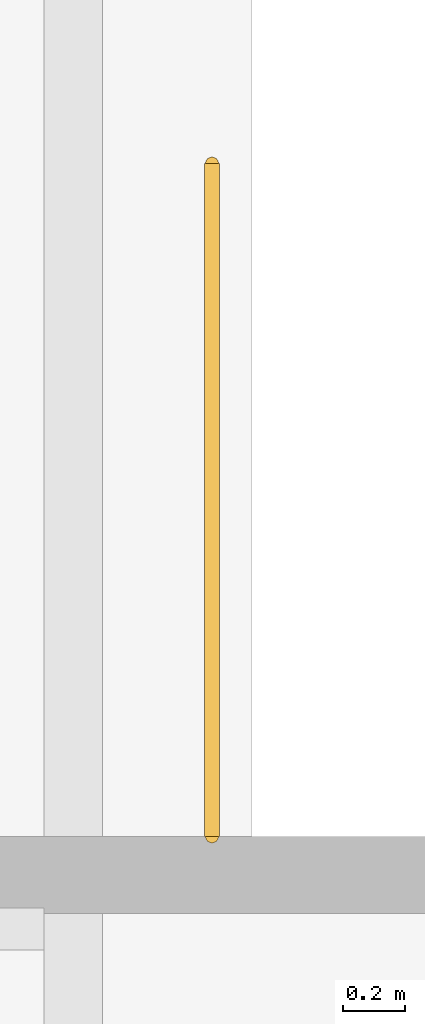
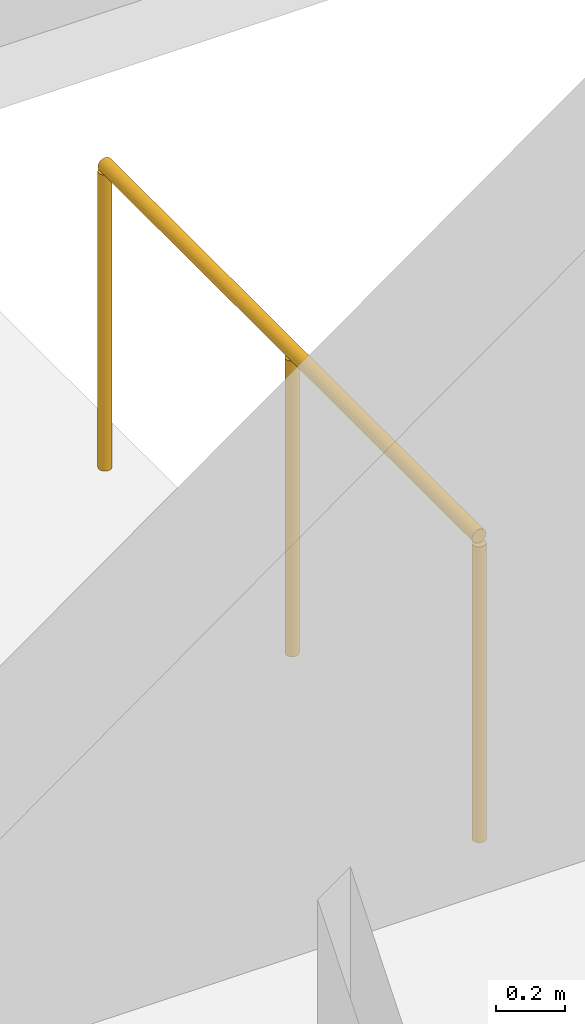
# One storey, part 67 of 67: 1 railing.
"""IFC4 building model written with IfcOpenShell, lengths in metres."""

from ifc_helpers import new_model, si_unit, derived_unit, direction, frame, origin, origin_2d, place, context, subcontext, project, spatial, circle, extrude, material, type_object, element, save


model = new_model("IFC4")

# Units and contexts
model_context = context("Model", 3, precision=1e-05, world=origin(), true_north=direction((0.0, 1.0)))
body_context = subcontext(model_context, "Body", "Model", "MODEL_VIEW")
ifc_project = project(units=[si_unit("LENGTHUNIT", "METRE"), si_unit("AREAUNIT", "SQUARE_METRE"), si_unit("VOLUMEUNIT", "CUBIC_METRE"), si_unit("PLANEANGLEUNIT", "RADIAN"), si_unit("MASSUNIT", "GRAM", prefix="KILO"), derived_unit("THERMALTRANSMITTANCEUNIT", [(si_unit("POWERUNIT", "WATT"), 1), (si_unit("LENGTHUNIT", "METRE"), -2), (si_unit("THERMODYNAMICTEMPERATUREUNIT", "KELVIN"), -1)])], contexts=[model_context])

# Site, building, storey
site_placement = place(None, origin())
site = spatial("IfcSite", under=ifc_project, at=site_placement, CompositionType="ELEMENT")
building_placement = place(site_placement, origin())
building = spatial("IfcBuilding", under=site, at=building_placement, Name="Keldorne Ridge Multi-Sports Centre", CompositionType="ELEMENT")
storey_placement = place(building_placement, frame((0.0, 0.0, 14.0)))
storey = spatial("IfcBuildingStorey", under=building, at=storey_placement, Name="L03", CompositionType="ELEMENT", Elevation=14.0)

# Railing
ifc_material = material(Name="Laminated glass and stainless steel", Category="steel")
railing_type = type_object("IfcRailingType", Name="RLG-BL-01", PredefinedType="BALUSTRADE", material=ifc_material)
railing_placement = place(storey_placement, frame((144.449951171875, 111.800048828125, 0.0)))
element("IfcRailing", 1, at=railing_placement, inside=storey, type_object=railing_type, Name="L03 ST-03 top well guard 1", PredefinedType="BALUSTRADE", context=body_context, shape_type="SweptSolid", body=[
    extrude(circle(Radius=0.02392578125, at=origin_2d()), frame((0.0, 0.0, 1.076171875), z_axis=(0.0, 1.0, 0.0), x_axis=(-1.0, 0.0, 0.0)), (0.0, 0.0, 1.0), 2.179931640625),
    extrude(circle(Radius=0.02099609375, at=origin_2d()), origin(), (0.0, 0.0, 1.0), 1.052001953125),
    extrude(circle(Radius=0.02099609375, at=origin_2d()), frame((0.0, 1.08984375, 0.0)), (0.0, 0.0, 1.0), 1.052001953125),
    extrude(circle(Radius=0.02099609375, at=origin_2d()), frame((0.0, 2.179931640625, 0.0)), (0.0, 0.0, 1.0), 1.052001953125),
])

save(model, "model.ifc")
